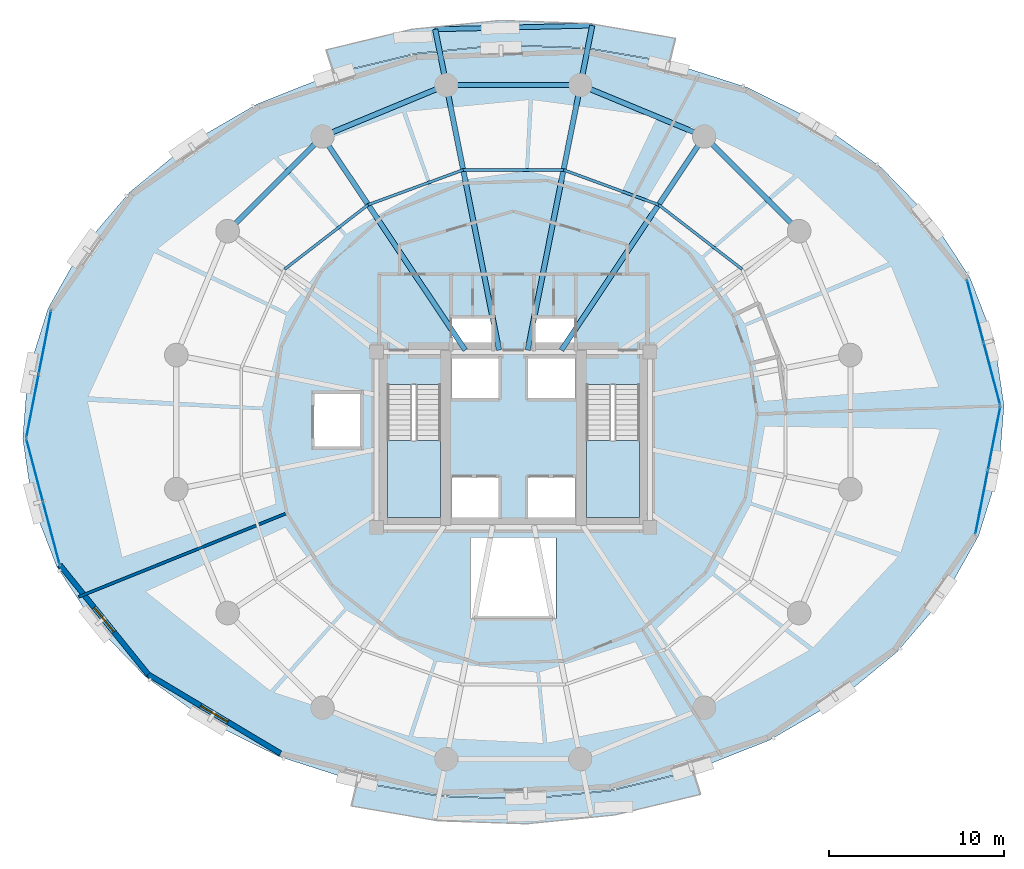
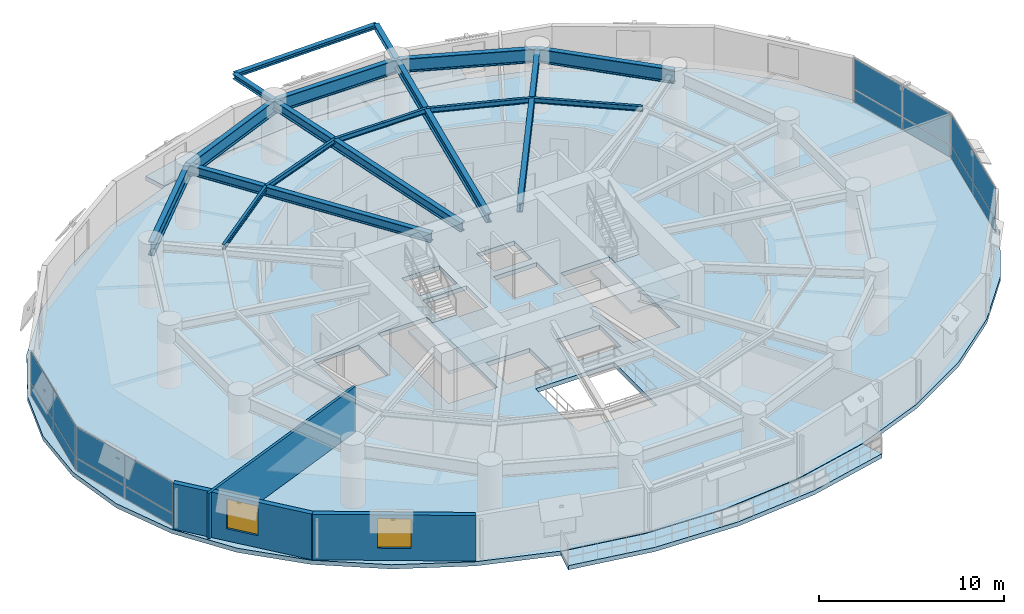
# One storey, part 9 of 15: 17 beams, 16 plates, 5 slabs, 3 walls, 2 windows, 2 openings, 6 elements without a shape of their own.
"""IFC4 building model written with IfcOpenShell, lengths in metres."""

from ifc_helpers import new_model, si_unit, direction, frame, frame_2d, origin, origin_2d, place, context, subcontext, project, spatial, polyline, rectangle, i_section, outline, extrude, material, layer, layer_set, material_profile, profile_set, type_object, element, fill, aggregate, save


model = new_model("IFC4")

# Units and contexts
model_context = context("Model", 3, precision=1e-05, world=origin(), true_north=direction((0.0, 1.0)))
body_context = subcontext(model_context, "Body", "Model", "MODEL_VIEW")
ifc_project = project(units=[si_unit("LENGTHUNIT", "METRE"), si_unit("AREAUNIT", "SQUARE_METRE"), si_unit("VOLUMEUNIT", "CUBIC_METRE"), si_unit("PLANEANGLEUNIT", "RADIAN"), si_unit("MASSUNIT", "GRAM", prefix="KILO"), si_unit("THERMODYNAMICTEMPERATUREUNIT", "KELVIN"), si_unit("POWERUNIT", "WATT")], contexts=[model_context])

# Site, building, storey
site_placement = place(None, origin())
site = spatial("IfcSite", under=ifc_project, at=site_placement, CompositionType="ELEMENT")
building_placement = place(site_placement, origin())
building = spatial("IfcBuilding", under=site, at=building_placement, Name="Ocrelia Relay Tower", CompositionType="ELEMENT")
storey_placement = place(building_placement, frame((0.0, 0.0, 38.39990234375)))
storey = spatial("IfcBuildingStorey", under=building, at=storey_placement, Name="L08", CompositionType="ELEMENT", Elevation=38.39990234375)

# Beams
ifc_material_1 = material(Name="Steel S355", Category="steel")
ifc_material_profile_1 = material_profile(ifc_material_1, i_section(OverallWidth=0.280029296875, OverallDepth=0.27001953125, WebThickness=0.008056640625, FlangeThickness=0.012939453125, FilletRadius=0.02392578125, at=origin_2d()), Name="HEA 280")
ifc_profile_set_1 = profile_set([ifc_material_profile_1], Name="Steel S355")
beam_type_1 = type_object("IfcBeamType", Name="BM-HEA280", PredefinedType="BEAM", material=ifc_profile_set_1)
beam_1_placement = place(storey_placement, frame((38.498779296875, 48.6171875, 3.78515625), z_axis=(-0.999720152709, -0.023656209927, 0.0), x_axis=(0.023656209927, -0.999720152709, 0.0)))
element("IfcBeam", 1, at=beam_1_placement, inside=storey, type_object=beam_type_1, Name="L09 Balcony Edge Trimmer Beam B1", PredefinedType="BEAM", context=body_context, shape_type="SweptSolid", body=[
    extrude(i_section(OverallWidth=0.280029296875, OverallDepth=0.27001953125, WebThickness=0.008056640625, FlangeThickness=0.012939453125, FilletRadius=0.02392578125, at=origin_2d()), origin(), (0.0, 0.0, 1.0), 8.9580078125),
])
ifc_material_profile_2 = material_profile(ifc_material_1, i_section(OverallWidth=0.300048828125, OverallDepth=0.330078125, WebThickness=0.009521484375, FlangeThickness=0.0166015625, FilletRadius=0.027099609375, at=origin_2d()), Name="HEA 340")
ifc_profile_set_2 = profile_set([ifc_material_profile_2], Name="Steel S355")
beam_type_2 = type_object("IfcBeamType", Name="BM-HEA340", PredefinedType="BEAM", material=ifc_profile_set_2)
beam_2_placement = place(storey_placement, frame((37.82373046875, 45.223388671875, 3.755126953125), z_axis=(0.195084836851, 0.980786371454, 0.0), x_axis=(-0.980786371454, 0.195084836851, 0.0)))
element("IfcBeam", 2, at=beam_2_placement, inside=storey, type_object=beam_type_2, Name="L09 Balcony Cantilever Beam B1-1", PredefinedType="BEAM", context=body_context, shape_type="SweptSolid", body=[
    extrude(i_section(OverallWidth=0.300048828125, OverallDepth=0.330078125, WebThickness=0.009521484375, FlangeThickness=0.0166015625, FilletRadius=0.027099609375, at=origin_2d()), origin(), (0.0, 0.0, 1.0), 3.460205078125),
])
beam_3_placement = place(storey_placement, frame((30.17626953125, 45.223388671875, 3.755126953125), z_axis=(-0.195131954021, 0.980776998364, 0.0), x_axis=(-0.980776998364, -0.195131954021, 0.0)))
element("IfcBeam", 3, at=beam_3_placement, inside=storey, type_object=beam_type_2, Name="L09 Balcony Cantilever Beam B1-2", PredefinedType="BEAM", context=body_context, shape_type="SweptSolid", body=[
    extrude(i_section(OverallWidth=0.300048828125, OverallDepth=0.330078125, WebThickness=0.009521484375, FlangeThickness=0.0166015625, FilletRadius=0.027099609375, at=origin_2d()), origin(), (0.0, 0.0, 1.0), 3.244140625),
])
ifc_material_profile_3 = material_profile(ifc_material_1, i_section(OverallWidth=0.300048828125, OverallDepth=0.60009765625, WebThickness=0.015380859375, FlangeThickness=0.030029296875, FilletRadius=0.027099609375, at=origin_2d()), Name="HEB 600")
ifc_profile_set_3 = profile_set([ifc_material_profile_3], Name="Steel S355")
beam_type_3 = type_object("IfcBeamType", Name="BM-HEB600", PredefinedType="BEAM", material=ifc_profile_set_3)
beam_4_placement = place(storey_placement, frame((44.88916015625, 42.296875, 3.6201171875), z_axis=(-0.555564422059, -0.831473495033, 0.0), x_axis=(0.831473495033, -0.555564422059, 0.0)))
element("IfcBeam", 4, at=beam_4_placement, inside=storey, type_object=beam_type_3, Name="L08 Radial Floor Girder R03", PredefinedType="BEAM", context=body_context, shape_type="SweptSolid", body=[
    extrude(i_section(OverallWidth=0.300048828125, OverallDepth=0.60009765625, WebThickness=0.015380859375, FlangeThickness=0.030029296875, FilletRadius=0.027099609375, at=origin_2d()), origin(), (0.0, 0.0, 1.0), 14.6630859375),
])
for number, where, z_axis, x_axis, name in (
    (5, (37.82373046875, 45.223388671875, 3.6201171875), (-0.19509567956, -0.980784214706, 0.0), (0.980784214706, -0.19509567956, 0.0), "L08 Radial Floor Girder R04"),
    (6, (30.17626953125, 45.223388671875, 3.6201171875), (0.19509567956, -0.980784214706, 0.0), (0.980784214706, 0.19509567956, 0.0), "L08 Radial Floor Girder R05"),
):
    element("IfcBeam", number, at=place(storey_placement, frame(where, z_axis=z_axis, x_axis=x_axis)), inside=storey, type_object=beam_type_3, Name=name, PredefinedType="BEAM", context=body_context, shape_type="SweptSolid", body=[
        extrude(i_section(OverallWidth=0.300048828125, OverallDepth=0.60009765625, WebThickness=0.015380859375, FlangeThickness=0.030029296875, FilletRadius=0.027099609375, at=origin_2d()), origin(), (0.0, 0.0, 1.0), 15.41455078125),
    ])
beam_5_placement = place(storey_placement, frame((23.11083984375, 42.296875, 3.6201171875), z_axis=(0.555564422059, -0.831473495033, 0.0), x_axis=(0.831473495033, 0.555564422059, 0.0)))
element("IfcBeam", 7, at=beam_5_placement, inside=storey, type_object=beam_type_3, Name="L08 Radial Floor Girder R06", PredefinedType="BEAM", context=body_context, shape_type="SweptSolid", body=[
    extrude(i_section(OverallWidth=0.300048828125, OverallDepth=0.60009765625, WebThickness=0.015380859375, FlangeThickness=0.030029296875, FilletRadius=0.027099609375, at=origin_2d()), origin(), (0.0, 0.0, 1.0), 14.6630859375),
])
ifc_material_profile_4 = material_profile(ifc_material_1, i_section(OverallWidth=0.300048828125, OverallDepth=0.89990234375, WebThickness=0.0185546875, FlangeThickness=0.034912109375, FilletRadius=0.030029296875, at=origin_2d()), Name="HEB 900")
ifc_profile_set_4 = profile_set([ifc_material_profile_4], Name="Steel S355")
beam_type_4 = type_object("IfcBeamType", Name="BM-HEB900", PredefinedType="BEAM", material=ifc_profile_set_4)
beam_6_placement = place(storey_placement, frame((50.296875, 36.88916015625, 3.47021484375), z_axis=(-0.707106781187, 0.707106781187, 0.0), x_axis=(-0.707106781187, -0.707106781187, 0.0)))
element("IfcBeam", 8, at=beam_6_placement, inside=storey, type_object=beam_type_4, Name="L08 Perimeter Spandrel Beam S02", PredefinedType="BEAM", context=body_context, shape_type="SweptSolid", body=[
    extrude(i_section(OverallWidth=0.300048828125, OverallDepth=0.89990234375, WebThickness=0.0185546875, FlangeThickness=0.034912109375, FilletRadius=0.030029296875, at=origin_2d()), origin(), (0.0, 0.0, 1.0), 7.647705078125),
])
for number, where, z_axis, x_axis, name in (
    (9, (44.88916015625, 42.296875, 3.47021484375), (-0.923883375589, 0.382674154222, 0.0), (-0.382674154222, -0.923883375589, 0.0), "L08 Perimeter Spandrel Beam S03"),
    (10, (37.82373046875, 45.223388671875, 3.47021484375), (-1.0, 0.0, 0.0), (0.0, -1.0, 0.0), "L08 Perimeter Spandrel Beam S04"),
    (11, (30.17626953125, 45.223388671875, 3.47021484375), (-0.923883375589, -0.382674154222, 0.0), (0.382674154222, -0.923883375589, 0.0), "L08 Perimeter Spandrel Beam S05"),
):
    element("IfcBeam", number, at=place(storey_placement, frame(where, z_axis=z_axis, x_axis=x_axis)), inside=storey, type_object=beam_type_4, Name=name, PredefinedType="BEAM", context=body_context, shape_type="SweptSolid", body=[
        extrude(i_section(OverallWidth=0.300048828125, OverallDepth=0.89990234375, WebThickness=0.0185546875, FlangeThickness=0.034912109375, FilletRadius=0.030029296875, at=origin_2d()), origin(), (0.0, 0.0, 1.0), 7.6474609375),
    ])
beam_7_placement = place(storey_placement, frame((23.11083984375, 42.296875, 3.47021484375), z_axis=(-0.707106781187, -0.707106781187, 0.0), x_axis=(0.707106781187, -0.707106781187, 0.0)))
element("IfcBeam", 12, at=beam_7_placement, inside=storey, type_object=beam_type_4, Name="L08 Perimeter Spandrel Beam S06", PredefinedType="BEAM", context=body_context, shape_type="SweptSolid", body=[
    extrude(i_section(OverallWidth=0.300048828125, OverallDepth=0.89990234375, WebThickness=0.0185546875, FlangeThickness=0.034912109375, FilletRadius=0.030029296875, at=origin_2d()), origin(), (0.0, 0.0, 1.0), 7.647705078125),
])
ifc_material_profile_5 = material_profile(ifc_material_1, i_section(OverallWidth=0.159912109375, OverallDepth=0.330078125, WebThickness=0.007568359375, FlangeThickness=0.011474609375, FilletRadius=0.01806640625, at=origin_2d()), Name="IPE 330")
ifc_profile_set_5 = profile_set([ifc_material_profile_5], Name="Steel S355")
beam_type_5 = type_object("IfcBeamType", Name="BM-IPE330", PredefinedType="JOIST", material=ifc_profile_set_5)
beam_8_placement = place(storey_placement, frame((47.0478515625, 34.71826171875, 3.755126953125), z_axis=(-0.791694256239, 0.610917510502, 0.0), x_axis=(-0.610917510502, -0.791694256239, 0.0)))
element("IfcBeam", 13, at=beam_8_placement, inside=storey, type_object=beam_type_5, Name="L08 Secondary Floor Joist J02", PredefinedType="JOIST", context=body_context, shape_type="SweptSolid", body=[
    extrude(i_section(OverallWidth=0.159912109375, OverallDepth=0.330078125, WebThickness=0.007568359375, FlangeThickness=0.011474609375, FilletRadius=0.01806640625, at=origin_2d()), origin(), (0.0, 0.0, 1.0), 6.019287109375),
])
beam_9_placement = place(storey_placement, frame((42.282470703125, 38.3955078125, 3.755126953125), z_axis=(-0.938745977034, 0.344609910773, 0.0), x_axis=(-0.344609910773, -0.938745977034, 0.0)))
element("IfcBeam", 14, at=beam_9_placement, inside=storey, type_object=beam_type_5, Name="L08 Secondary Floor Joist J03", PredefinedType="JOIST", context=body_context, shape_type="SweptSolid", body=[
    extrude(i_section(OverallWidth=0.159912109375, OverallDepth=0.330078125, WebThickness=0.007568359375, FlangeThickness=0.011474609375, FilletRadius=0.01806640625, at=origin_2d()), origin(), (0.0, 0.0, 1.0), 5.774658203125),
])
beam_10_placement = place(storey_placement, frame((36.861572265625, 40.385498046875, 3.755126953125), z_axis=(-1.0, 0.0, 0.0), x_axis=(0.0, -1.0, 0.0)))
element("IfcBeam", 15, at=beam_10_placement, inside=storey, type_object=beam_type_5, Name="L08 Secondary Floor Joist J04", PredefinedType="JOIST", context=body_context, shape_type="SweptSolid", body=[
    extrude(i_section(OverallWidth=0.159912109375, OverallDepth=0.330078125, WebThickness=0.007568359375, FlangeThickness=0.011474609375, FilletRadius=0.01806640625, at=origin_2d()), origin(), (0.0, 0.0, 1.0), 5.72314453125),
])
beam_11_placement = place(storey_placement, frame((31.138427734375, 40.385498046875, 3.755126953125), z_axis=(-0.938745977034, -0.344609910773, 0.0), x_axis=(0.344609910773, -0.938745977034, 0.0)))
element("IfcBeam", 16, at=beam_11_placement, inside=storey, type_object=beam_type_5, Name="L08 Secondary Floor Joist J05", PredefinedType="JOIST", context=body_context, shape_type="SweptSolid", body=[
    extrude(i_section(OverallWidth=0.159912109375, OverallDepth=0.330078125, WebThickness=0.007568359375, FlangeThickness=0.011474609375, FilletRadius=0.01806640625, at=origin_2d()), origin(), (0.0, 0.0, 1.0), 5.774658203125),
])
beam_12_placement = place(storey_placement, frame((25.717529296875, 38.3955078125, 3.755126953125), z_axis=(-0.791694256239, -0.610917510502, 0.0), x_axis=(0.610917510502, -0.791694256239, 0.0)))
element("IfcBeam", 17, at=beam_12_placement, inside=storey, type_object=beam_type_5, Name="L08 Secondary Floor Joist J06", PredefinedType="JOIST", context=body_context, shape_type="SweptSolid", body=[
    extrude(i_section(OverallWidth=0.159912109375, OverallDepth=0.330078125, WebThickness=0.007568359375, FlangeThickness=0.011474609375, FilletRadius=0.01806640625, at=origin_2d()), origin(), (0.0, 0.0, 1.0), 6.019287109375),
])

# Curtain wall, plates
ifc_material_2 = material(Name="Aluminium and solar-control low-E glass", Category="aluminium")
ifc_layer_1 = layer(ifc_material_2, 0.179931640625, Name="Aluminium and solar-control low-E glass")
ifc_layer_set_1 = layer_set([ifc_layer_1], Name="Aluminium and solar-control low-E glass")
curtain_wall_type = type_object("IfcCurtainWallType", Name="CW-SYS-Z1-DATA", PredefinedType="NOTDEFINED", material=ifc_layer_set_1)
curtain_wall_1_placement = place(storey_placement, origin())
curtain_wall_1 = element("IfcCurtainWall", 18, at=curtain_wall_1_placement, inside=storey, type_object=curtain_wall_type, Name="L08 Elliptical Tower Curtain Wall Bay 01", PredefinedType="NOTDEFINED")
ifc_material_3 = material(Name="Clear double-glazed low-E glass", Category="glass")
ifc_layer_2 = layer(ifc_material_3, 0.031982421875, Name="Clear double-glazed low-E glass")
ifc_layer_set_2 = layer_set([ifc_layer_2], Name="Clear double-glazed low-E glass")
plate_type = type_object("IfcPlateType", Name="CW-SYS-Z1-DATA-PNL", PredefinedType="CURTAIN_PANEL", material=ifc_layer_set_2)
plate_1_placement = place(storey_placement, frame((61.301025390625, 28.744873046875, 0.06494140625), z_axis=(0.0, 0.0, 1.0), x_axis=(-0.256451022093, 0.966557227104, 0.0)))
plate_1 = element("IfcPlate", 19, at=plate_1_placement, type_object=plate_type, Name="CW-Z1 panel 1.1", PredefinedType="CURTAIN_PANEL", context=body_context, shape_type="SweptSolid", body=[
    extrude(rectangle(XDim=3.6328125, YDim=0.031982421875, at=origin_2d()), origin(), (0.0, 0.0, 1.0), 0.802490234375),
])
plate_2_placement = place(storey_placement, frame((61.301025390625, 28.744873046875, 0.9326171875), z_axis=(0.0, 0.0, 1.0), x_axis=(-0.256451022093, 0.966557227104, 0.0)))
plate_2 = element("IfcPlate", 20, at=plate_2_placement, type_object=plate_type, Name="CW-Z1 panel 1.2", PredefinedType="CURTAIN_PANEL", context=body_context, shape_type="SweptSolid", body=[
    extrude(rectangle(XDim=3.6328125, YDim=0.031982421875, at=origin_2d()), origin(), (0.0, 0.0, 1.0), 2.00244140625),
])
plate_3_placement = place(storey_placement, frame((60.351318359375, 32.323974609375, 0.06494140625), z_axis=(0.0, 0.0, 1.0), x_axis=(-0.256451022093, 0.966557227104, 0.0)))
plate_3 = element("IfcPlate", 21, at=plate_3_placement, type_object=plate_type, Name="CW-Z1 panel 2.1", PredefinedType="CURTAIN_PANEL", context=body_context, shape_type="SweptSolid", body=[
    extrude(rectangle(XDim=3.6328125, YDim=0.031982421875, at=origin_2d()), origin(), (0.0, 0.0, 1.0), 0.802490234375),
])
plate_4_placement = place(storey_placement, frame((60.351318359375, 32.323974609375, 0.9326171875), z_axis=(0.0, 0.0, 1.0), x_axis=(-0.256451022093, 0.966557227104, 0.0)))
plate_4 = element("IfcPlate", 22, at=plate_4_placement, type_object=plate_type, Name="CW-Z1 panel 2.2", PredefinedType="CURTAIN_PANEL", context=body_context, shape_type="SweptSolid", body=[
    extrude(rectangle(XDim=3.6328125, YDim=0.031982421875, at=origin_2d()), origin(), (0.0, 0.0, 1.0), 2.00244140625),
])
aggregate(curtain_wall_1, [plate_1, plate_2, plate_3, plate_4])

curtain_wall_2_placement = place(storey_placement, origin())
curtain_wall_2 = element("IfcCurtainWall", 23, at=curtain_wall_2_placement, inside=storey, type_object=curtain_wall_type, Name="L08 Elliptical Tower Curtain Wall Bay 09", PredefinedType="NOTDEFINED")
plate_5_placement = place(storey_placement, frame((7.28759765625, 30.5634765625, 0.06494140625), z_axis=(0.0, 0.0, 1.0), x_axis=(-0.19184131157, -0.981425958071, 0.0)))
plate_5 = element("IfcPlate", 24, at=plate_5_placement, type_object=plate_type, Name="CW-Z1 panel 1.1", PredefinedType="CURTAIN_PANEL", context=body_context, shape_type="SweptSolid", body=[
    extrude(rectangle(XDim=3.6328125, YDim=0.031982421875, at=origin_2d()), origin(), (0.0, 0.0, 1.0), 0.802490234375),
])
plate_6_placement = place(storey_placement, frame((7.28759765625, 30.5634765625, 0.9326171875), z_axis=(0.0, 0.0, 1.0), x_axis=(-0.19184131157, -0.981425958071, 0.0)))
plate_6 = element("IfcPlate", 25, at=plate_6_placement, type_object=plate_type, Name="CW-Z1 panel 1.2", PredefinedType="CURTAIN_PANEL", context=body_context, shape_type="SweptSolid", body=[
    extrude(rectangle(XDim=3.6328125, YDim=0.031982421875, at=origin_2d()), origin(), (0.0, 0.0, 1.0), 2.00244140625),
])
plate_7_placement = place(storey_placement, frame((6.5771484375, 26.9296875, 0.06494140625), z_axis=(0.0, 0.0, 1.0), x_axis=(-0.19184131157, -0.981425958071, 0.0)))
plate_7 = element("IfcPlate", 26, at=plate_7_placement, type_object=plate_type, Name="CW-Z1 panel 2.1", PredefinedType="CURTAIN_PANEL", context=body_context, shape_type="SweptSolid", body=[
    extrude(rectangle(XDim=3.6328125, YDim=0.031982421875, at=origin_2d()), origin(), (0.0, 0.0, 1.0), 0.802490234375),
])
plate_8_placement = place(storey_placement, frame((6.5771484375, 26.9296875, 0.9326171875), z_axis=(0.0, 0.0, 1.0), x_axis=(-0.19184131157, -0.981425958071, 0.0)))
plate_8 = element("IfcPlate", 27, at=plate_8_placement, type_object=plate_type, Name="CW-Z1 panel 2.2", PredefinedType="CURTAIN_PANEL", context=body_context, shape_type="SweptSolid", body=[
    extrude(rectangle(XDim=3.6328125, YDim=0.031982421875, at=origin_2d()), origin(), (0.0, 0.0, 1.0), 2.00244140625),
])
aggregate(curtain_wall_2, [plate_5, plate_6, plate_7, plate_8])

curtain_wall_3_placement = place(storey_placement, origin())
curtain_wall_3 = element("IfcCurtainWall", 28, at=curtain_wall_3_placement, inside=storey, type_object=curtain_wall_type, Name="L08 Elliptical Tower Curtain Wall Bay 10", PredefinedType="NOTDEFINED")
plate_9_placement = place(storey_placement, frame((6.698974609375, 23.255126953125, 0.06494140625), z_axis=(0.0, 0.0, 1.0), x_axis=(0.256451022093, -0.966557227104, 0.0)))
plate_9 = element("IfcPlate", 29, at=plate_9_placement, type_object=plate_type, Name="CW-Z1 panel 1.1", PredefinedType="CURTAIN_PANEL", context=body_context, shape_type="SweptSolid", body=[
    extrude(rectangle(XDim=3.6328125, YDim=0.031982421875, at=origin_2d()), origin(), (0.0, 0.0, 1.0), 0.802490234375),
])
plate_10_placement = place(storey_placement, frame((6.698974609375, 23.255126953125, 0.9326171875), z_axis=(0.0, 0.0, 1.0), x_axis=(0.256451022093, -0.966557227104, 0.0)))
plate_10 = element("IfcPlate", 30, at=plate_10_placement, type_object=plate_type, Name="CW-Z1 panel 1.2", PredefinedType="CURTAIN_PANEL", context=body_context, shape_type="SweptSolid", body=[
    extrude(rectangle(XDim=3.6328125, YDim=0.031982421875, at=origin_2d()), origin(), (0.0, 0.0, 1.0), 2.00244140625),
])
plate_11_placement = place(storey_placement, frame((7.648681640625, 19.676025390625, 0.06494140625), z_axis=(0.0, 0.0, 1.0), x_axis=(0.256451022093, -0.966557227104, 0.0)))
plate_11 = element("IfcPlate", 31, at=plate_11_placement, type_object=plate_type, Name="CW-Z1 panel 2.1", PredefinedType="CURTAIN_PANEL", context=body_context, shape_type="SweptSolid", body=[
    extrude(rectangle(XDim=3.6328125, YDim=0.031982421875, at=origin_2d()), origin(), (0.0, 0.0, 1.0), 0.802490234375),
])
plate_12_placement = place(storey_placement, frame((7.648681640625, 19.676025390625, 0.9326171875), z_axis=(0.0, 0.0, 1.0), x_axis=(0.256451022093, -0.966557227104, 0.0)))
plate_12 = element("IfcPlate", 32, at=plate_12_placement, type_object=plate_type, Name="CW-Z1 panel 2.2", PredefinedType="CURTAIN_PANEL", context=body_context, shape_type="SweptSolid", body=[
    extrude(rectangle(XDim=3.6328125, YDim=0.031982421875, at=origin_2d()), origin(), (0.0, 0.0, 1.0), 2.00244140625),
])
aggregate(curtain_wall_3, [plate_9, plate_10, plate_11, plate_12])

curtain_wall_4_placement = place(storey_placement, origin())
curtain_wall_4 = element("IfcCurtainWall", 33, at=curtain_wall_4_placement, inside=storey, type_object=curtain_wall_type, Name="L08 Elliptical Tower Curtain Wall Bay 18", PredefinedType="NOTDEFINED")
plate_13_placement = place(storey_placement, frame((60.71240234375, 21.4365234375, 0.06494140625), z_axis=(0.0, 0.0, 1.0), x_axis=(0.19184131157, 0.981425958071, 0.0)))
plate_13 = element("IfcPlate", 34, at=plate_13_placement, type_object=plate_type, Name="CW-Z1 panel 1.1", PredefinedType="CURTAIN_PANEL", context=body_context, shape_type="SweptSolid", body=[
    extrude(rectangle(XDim=3.6328125, YDim=0.031982421875, at=origin_2d()), origin(), (0.0, 0.0, 1.0), 0.802490234375),
])
plate_14_placement = place(storey_placement, frame((60.71240234375, 21.4365234375, 0.9326171875), z_axis=(0.0, 0.0, 1.0), x_axis=(0.19184131157, 0.981425958071, 0.0)))
plate_14 = element("IfcPlate", 35, at=plate_14_placement, type_object=plate_type, Name="CW-Z1 panel 1.2", PredefinedType="CURTAIN_PANEL", context=body_context, shape_type="SweptSolid", body=[
    extrude(rectangle(XDim=3.6328125, YDim=0.031982421875, at=origin_2d()), origin(), (0.0, 0.0, 1.0), 2.00244140625),
])
plate_15_placement = place(storey_placement, frame((61.4228515625, 25.0703125, 0.06494140625), z_axis=(0.0, 0.0, 1.0), x_axis=(0.19184131157, 0.981425958071, 0.0)))
plate_15 = element("IfcPlate", 36, at=plate_15_placement, type_object=plate_type, Name="CW-Z1 panel 2.1", PredefinedType="CURTAIN_PANEL", context=body_context, shape_type="SweptSolid", body=[
    extrude(rectangle(XDim=3.6328125, YDim=0.031982421875, at=origin_2d()), origin(), (0.0, 0.0, 1.0), 0.802490234375),
])
plate_16_placement = place(storey_placement, frame((61.4228515625, 25.0703125, 0.9326171875), z_axis=(0.0, 0.0, 1.0), x_axis=(0.19184131157, 0.981425958071, 0.0)))
plate_16 = element("IfcPlate", 37, at=plate_16_placement, type_object=plate_type, Name="CW-Z1 panel 2.2", PredefinedType="CURTAIN_PANEL", context=body_context, shape_type="SweptSolid", body=[
    extrude(rectangle(XDim=3.6328125, YDim=0.031982421875, at=origin_2d()), origin(), (0.0, 0.0, 1.0), 2.00244140625),
])
aggregate(curtain_wall_4, [plate_13, plate_14, plate_15, plate_16])

# Slabs
ifc_material_4 = material(Name="Precast concrete C40/50", Category="concrete")
ifc_layer_3 = layer(ifc_material_4, 0.280029296875, Name="Precast concrete C40/50")
ifc_layer_set_3 = layer_set([ifc_layer_3], Name="Precast concrete C40/50")
slab_type_1 = type_object("IfcSlabType", Name="SL-BALC-280", PredefinedType="FLOOR", material=ifc_layer_set_3)
slab_1_placement = place(storey_placement, frame((0.0, 0.0, -0.27978515625)))
element("IfcSlab", 38, at=slab_1_placement, inside=storey, type_object=slab_type_1, Name="L08 Planted Loggia Balcony B1", PredefinedType="FLOOR", context=body_context, shape_type="SweptSolid", body=[
    extrude(outline(polyline([(42.90869140625, 46.5390625), (40.53466796875, 46.94580078125), (38.16064453125, 47.352783203125), (33.2861328125, 47.518310546875), (28.43359375, 47.030029296875), (26.091796875, 46.466796875), (23.749755859375, 45.903564453125), (23.329345703125, 47.23193359375), (25.764892578125, 47.81787109375), (28.2001953125, 48.40380859375), (33.239990234375, 48.91064453125), (38.30224609375, 48.73876953125), (40.771240234375, 48.315673828125), (43.240234375, 47.892578125), (42.90869140625, 46.5390625)])), origin(), (0.0, 0.0, 1.0), 0.27978515625),
])
slab_2_placement = place(storey_placement, frame((0.0, 0.0, -0.27978515625)))
element("IfcSlab", 39, at=slab_2_placement, inside=storey, type_object=slab_type_1, Name="L08 Planted Loggia Balcony B2", PredefinedType="FLOOR", context=body_context, shape_type="SweptSolid", body=[
    extrude(outline(polyline([(25.09130859375, 5.4609375), (27.46533203125, 5.05419921875), (29.83935546875, 4.647216796875), (34.7138671875, 4.481689453125), (39.56640625, 4.969970703125), (41.908203125, 5.533203125), (44.250244140625, 6.096435546875), (44.670654296875, 4.76806640625), (42.235107421875, 4.18212890625), (39.7998046875, 3.59619140625), (34.760009765625, 3.08935546875), (29.69775390625, 3.26123046875), (27.228759765625, 3.684326171875), (24.759765625, 4.107421875), (25.09130859375, 5.4609375)])), origin(), (0.0, 0.0, 1.0), 0.27978515625),
])
ifc_material_5 = material(Name="Concrete C50/60", Category="concrete")
ifc_layer_4 = layer(ifc_material_5, 0.280029296875, Name="Concrete C50/60")
ifc_layer_set_4 = layer_set([ifc_layer_4], Name="Concrete C50/60")
slab_type_2 = type_object("IfcSlabType", Name="SL-FLR-280", PredefinedType="FLOOR", material=ifc_layer_set_4)
slab_3_placement = place(storey_placement, frame((0.0, 0.0, -0.27978515625)))
element("IfcSlab", 40, at=slab_3_placement, inside=storey, type_object=slab_type_2, Name="L08 Elliptical Tower Floor Slab", PredefinedType="FLOOR", context=body_context, shape_type="SweptSolid", body=[
    extrude(outline(polyline([(61.984619140625, 26.92822265625), (61.435791015625, 30.6455078125), (60.052978515625, 34.2216796875), (57.87890625, 37.548095703125), (54.979248046875, 40.5234375), (51.442138671875, 43.0576171875), (47.375, 45.073486328125), (42.901611328125, 46.509765625), (38.157470703125, 47.322998046875), (33.287109375, 47.48828125), (28.4384765625, 47.00048828125), (23.7587890625, 45.874755859375), (19.390380859375, 44.14501953125), (15.4658203125, 41.8642578125), (12.104248046875, 39.101318359375), (9.408203125, 35.940185546875), (7.459228515625, 32.47705078125), (6.31689453125, 28.817138671875), (6.015380859375, 25.07177734375), (6.564208984375, 21.3544921875), (7.947021484375, 17.7783203125), (10.12109375, 14.451904296875), (13.020751953125, 11.4765625), (16.557861328125, 8.9423828125), (20.625, 6.926513671875), (25.098388671875, 5.490234375), (29.842529296875, 4.677001953125), (34.712890625, 4.51171875), (39.5615234375, 4.99951171875), (44.2412109375, 6.125244140625), (48.609619140625, 7.85498046875), (52.5341796875, 10.1357421875), (55.895751953125, 12.898681640625), (58.591796875, 16.059814453125), (60.540771484375, 19.52294921875), (61.68310546875, 23.182861328125), (61.984619140625, 26.92822265625)]), holes=[polyline([(26.81005859375, 28.14990234375), (26.81005859375, 20.550048828125), (29.85009765625, 20.550048828125), (29.85009765625, 28.14990234375), (26.81005859375, 28.14990234375)]), polyline([(38.159912109375, 28.14990234375), (38.159912109375, 20.550048828125), (41.199951171875, 20.550048828125), (41.199951171875, 28.14990234375), (38.159912109375, 28.14990234375)]), polyline([(30.4599609375, 20.550048828125), (33.159912109375, 20.550048828125), (33.159912109375, 22.85009765625), (30.4599609375, 22.85009765625), (30.4599609375, 20.550048828125)]), polyline([(34.840087890625, 20.550048828125), (37.5400390625, 20.550048828125), (37.5400390625, 22.85009765625), (34.840087890625, 22.85009765625), (34.840087890625, 20.550048828125)]), polyline([(30.4599609375, 27.35009765625), (33.159912109375, 27.35009765625), (33.159912109375, 29.64990234375), (30.4599609375, 29.64990234375), (30.4599609375, 27.35009765625)]), polyline([(34.840087890625, 27.35009765625), (37.5400390625, 27.35009765625), (37.5400390625, 29.64990234375), (34.840087890625, 29.64990234375), (34.840087890625, 27.35009765625)]), polyline([(30.5, 30.10009765625), (32.85009765625, 30.10009765625), (32.85009765625, 32.0), (30.5, 32.0), (30.5, 30.10009765625)]), polyline([(35.14990234375, 30.10009765625), (37.5, 30.10009765625), (37.5, 32.0), (35.14990234375, 32.0), (35.14990234375, 30.10009765625)]), polyline([(22.550048828125, 24.5), (25.35009765625, 24.5), (25.35009765625, 27.699951171875), (22.550048828125, 27.699951171875), (22.550048828125, 24.5)]), polyline([(31.550048828125, 14.800048828125), (36.449951171875, 14.800048828125), (36.449951171875, 19.39990234375), (31.550048828125, 19.39990234375), (31.550048828125, 14.800048828125)])]), origin(), (0.0, 0.0, 1.0), 0.27978515625),
])

# Stair, slab
stair_type = type_object("IfcStairType", Name="ST-DL-1420-R175", PredefinedType="HALF_TURN_STAIR", material=ifc_material_5)
stair_1_placement = place(storey_placement, origin())
stair_1 = element("IfcStair", 41, at=stair_1_placement, inside=storey, type_object=stair_type, Name="L08 West Core Exit Stair ST1", PredefinedType="HALF_TURN_STAIR")
ifc_layer_5 = layer(ifc_material_5, 0.199951171875, Name="Concrete C50/60")
ifc_layer_set_5 = layer_set([ifc_layer_5], Name="Concrete C50/60")
slab_type_3 = type_object("IfcSlabType", Name="SL-LANDING-200", PredefinedType="LANDING", material=ifc_layer_set_5)
slab_4_placement = place(storey_placement, frame((0.0, 0.0, 1.900146484375)))
slab_4 = element("IfcSlab", 42, at=slab_4_placement, type_object=slab_type_3, Name="ST1 landing 1", PredefinedType="LANDING", context=body_context, shape_type="SweptSolid", body=[
    extrude(outline(polyline([(26.81005859375, 24.9599609375), (26.81005859375, 20.550048828125), (29.85009765625, 20.550048828125), (29.85009765625, 24.9599609375), (26.81005859375, 24.9599609375)])), origin(), (0.0, 0.0, 1.0), 0.199951171875),
])
aggregate(stair_1, [slab_4])

stair_2_placement = place(storey_placement, origin())
stair_2 = element("IfcStair", 43, at=stair_2_placement, inside=storey, type_object=stair_type, Name="L08 East Core Exit Stair ST2", PredefinedType="HALF_TURN_STAIR")
slab_5_placement = place(storey_placement, frame((0.0, 0.0, 1.900146484375)))
slab_5 = element("IfcSlab", 44, at=slab_5_placement, type_object=slab_type_3, Name="ST2 landing 1", PredefinedType="LANDING", context=body_context, shape_type="SweptSolid", body=[
    extrude(outline(polyline([(38.159912109375, 24.9599609375), (38.159912109375, 20.550048828125), (41.199951171875, 20.550048828125), (41.199951171875, 24.9599609375), (38.159912109375, 24.9599609375)])), origin(), (0.0, 0.0, 1.0), 0.199951171875),
])
aggregate(stair_2, [slab_5])

# Wall, opening, window
ifc_material_6 = material(Name="Precast concrete C40/50 with oxide terracotta", Category="masonry")
ifc_layer_6 = layer(ifc_material_6, 0.300048828125, Name="Precast concrete C40/50 with oxide terracotta")
ifc_layer_set_6 = layer_set([ifc_layer_6], Name="Precast concrete C40/50 with oxide terracotta")
wall_type_1 = type_object("IfcWallType", Name="W-EXT-TERR-300", PredefinedType="SOLIDWALL", material=ifc_layer_set_6)
wall_1_placement = place(storey_placement, frame((8.13232421875, 17.852783203125, 0.0), z_axis=(0.0, 0.0, 1.0), x_axis=(0.627974320343, -0.778234060543, 0.0)))
wall_1 = element("IfcWall", 45, at=wall_1_placement, inside=storey, type_object=wall_type_1, Name="L08 Oxide Terracotta Facade Wall 11", PredefinedType="SOLIDWALL", context=body_context, shape_type="SweptSolid", body=[
    extrude(rectangle(XDim=8.021484375, YDim=0.300048828125, at=frame_2d((4.0107421875, 0.0))), origin(), (0.0, 0.0, 1.0), 3.0),
])
opening_1_placement = place(wall_1_placement, frame((3.111083984375, 0.0, 0.800048828125)))
opening_1 = element("IfcOpeningElement", 46, at=opening_1_placement, cuts=wall_1, Name="Opening W-02", PredefinedType="OPENING", context=body_context, shape_type="SweptSolid", body=[
    extrude(rectangle(XDim=1.800048828125, YDim=1.949951171875, at=frame_2d((0.89990234375, 0.97509765625))), frame((0.0, 0.16015625, 0.0), z_axis=(0.0, -1.0, 0.0), x_axis=(1.0, 0.0, 0.0)), (0.0, 0.0, 1.0), 0.320068359375),
])
window_type = type_object("IfcWindowType", Name="WIN-Z1-1800x2100", PartitioningType="DOUBLE_PANEL_VERTICAL", PredefinedType="WINDOW", material=ifc_material_3)
window_1_placement = place(opening_1_placement, origin())
window_1 = element("IfcWindow", 47, at=window_1_placement, inside=storey, type_object=window_type, Name="L08 Facade Module Window 11", OverallHeight=1.949951171875, OverallWidth=1.800048828125, PartitioningType="SINGLE_PANEL", PredefinedType="WINDOW", context=body_context, shape_type="SweptSolid", body=[
    extrude(rectangle(XDim=1.800048828125, YDim=1.949951171875, at=frame_2d((0.89990234375, 0.97509765625))), frame((0.0, 0.030029296875, 0.0), z_axis=(0.0, -1.0, 0.0), x_axis=(1.0, 0.0, 0.0)), (0.0, 0.0, 1.0), 0.06005859375),
])
fill(opening_1, window_1)

wall_2_placement = place(storey_placement, frame((13.169677734375, 11.610107421875, 0.0), z_axis=(0.0, 0.0, 1.0), x_axis=(0.85861541015, -0.512620305345, 0.0)))
wall_2 = element("IfcWall", 48, at=wall_2_placement, inside=storey, type_object=wall_type_1, Name="L08 Oxide Terracotta Facade Wall 12", PredefinedType="SOLIDWALL", context=body_context, shape_type="SweptSolid", body=[
    extrude(rectangle(XDim=8.792724609375, YDim=0.300048828125, at=frame_2d((4.396484375, 0.0))), origin(), (0.0, 0.0, 1.0), 3.0),
])
opening_2_placement = place(wall_2_placement, frame((3.49609375, 0.0, 0.800048828125)))
opening_2 = element("IfcOpeningElement", 49, at=opening_2_placement, cuts=wall_2, Name="Opening W-02", PredefinedType="OPENING", context=body_context, shape_type="SweptSolid", body=[
    extrude(rectangle(XDim=1.800048828125, YDim=1.949951171875, at=frame_2d((0.89990234375, 0.97509765625))), frame((0.0, 0.16015625, 0.0), z_axis=(0.0, -1.0, 0.0), x_axis=(1.0, 0.0, 0.0)), (0.0, 0.0, 1.0), 0.320068359375),
])
window_2_placement = place(opening_2_placement, origin())
window_2 = element("IfcWindow", 50, at=window_2_placement, inside=storey, type_object=window_type, Name="L08 Facade Module Window 12", OverallHeight=1.949951171875, OverallWidth=1.800048828125, PartitioningType="SINGLE_PANEL", PredefinedType="WINDOW", context=body_context, shape_type="SweptSolid", body=[
    extrude(rectangle(XDim=1.800048828125, YDim=1.949951171875, at=frame_2d((0.89990234375, 0.97509765625))), frame((0.0, 0.030029296875, 0.0), z_axis=(0.0, -1.0, 0.0), x_axis=(1.0, 0.0, 0.0)), (0.0, 0.0, 1.0), 0.06005859375),
])
fill(opening_2, window_2)

# Wall
ifc_material_7 = material(Name="Acoustic Fireboard Partition EI60", Category="gypsum")
ifc_layer_7 = layer(ifc_material_7, 0.159912109375, Name="Acoustic Fireboard Partition EI60")
ifc_layer_set_7 = layer_set([ifc_layer_7], Name="Acoustic Fireboard Partition EI60")
wall_type_2 = type_object("IfcWallType", Name="W-PART-160", PredefinedType="PARTITIONING", material=ifc_layer_set_7)
wall_3_placement = place(storey_placement, frame((21.08447265625, 20.80810546875, 0.0), z_axis=(0.0, 0.0, 1.0), x_axis=(-0.927834819102, -0.372991351725, 0.0)))
element("IfcWall", 51, at=wall_3_placement, inside=storey, type_object=wall_type_2, Name="L08 Colocation Data Hall A Radial Partition", PredefinedType="PARTITIONING", context=body_context, shape_type="SweptSolid", body=[
    extrude(rectangle(XDim=12.80224609375, YDim=0.159912109375, at=frame_2d((6.401123046875, 0.0))), origin(), (0.0, 0.0, 1.0), 3.0),
])

save(model, "model.ifc")
